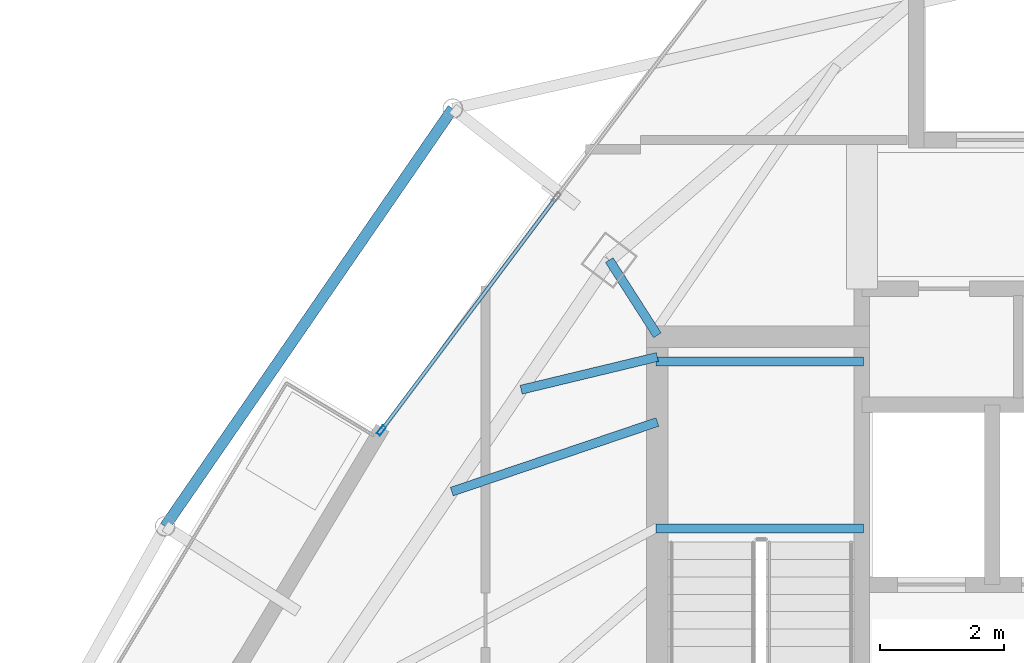
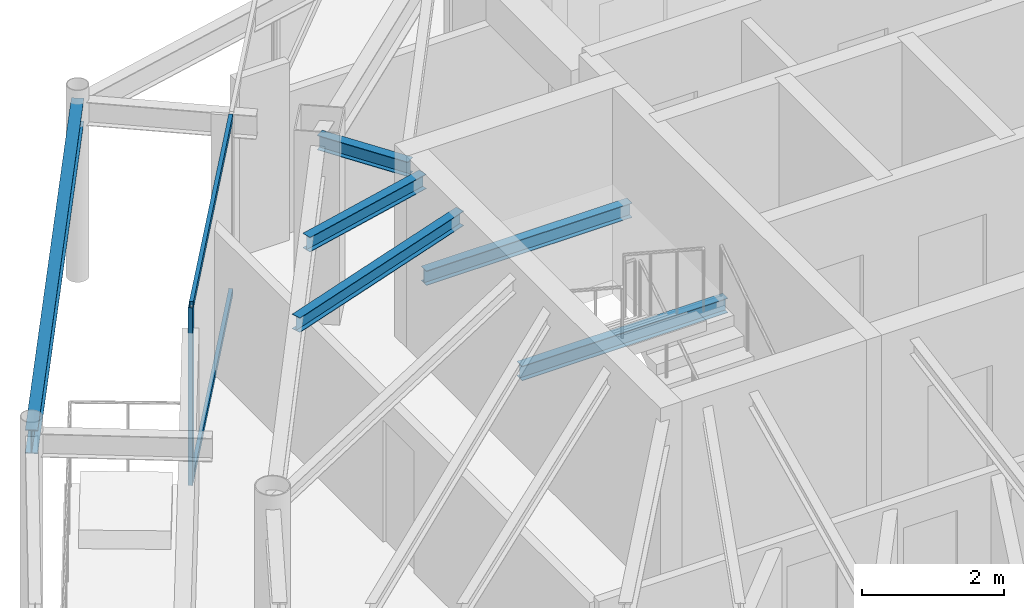
# One storey, part 12 of 28: 6 beams, 3 members, 1 element without a shape of its own.
"""IFC4 building model written with IfcOpenShell, lengths in metres."""

import ifcopenshell
import ifcopenshell.guid

model = None  # the IFC model being written
_history = None  # IfcOwnerHistory: only IFC2X3 demands one
_inside = {}  # id of a spatial element -> (the spatial element, [elements in it])
_under = {}  # id of a project, library or spatial element -> (it, [spatial elements below it])
_declared = {}  # id of a project -> (the project, [libraries it declares])
_typed = {}  # id of a type object -> (the type object, [elements of that type])
_made_of = {}  # id of a material, layer set ... -> (it, [elements and type objects made of it])


def new_model(schema):
    """Start an empty IFC model of exactly this schema.

    Asked for "IFC4X3", IfcOpenShell would pick the latest addendum, in which some entities
    have other attributes; the version numbers below select the first issue.
    IFC2X3 requires an IfcOwnerHistory on every rooted entity: one is made here for all.
    """
    global model, _history
    if schema == "IFC4X3":
        model = ifcopenshell.file(schema_version=(4, 3, 0, 0))
    else:
        model = ifcopenshell.file(schema=schema)
    _inside.clear()
    _under.clear()
    _declared.clear()
    _typed.clear()
    _made_of.clear()
    _history = None
    if model.schema == "IFC2X3":
        org = make("IfcOrganization", Name="unknown")
        user = make(
            "IfcPersonAndOrganization",
            ThePerson=make("IfcPerson", FamilyName="unknown"),
            TheOrganization=org,
        )
        app = make(
            "IfcApplication",
            ApplicationDeveloper=org,
            Version="unknown",
            ApplicationFullName="unknown",
            ApplicationIdentifier="unknown",
        )
        _history = make(
            "IfcOwnerHistory",
            OwningUser=user,
            OwningApplication=app,
            ChangeAction="ADDED",
            CreationDate=0,
        )
    return model


def make(cls, **values):
    """One entity of the class cls with the attributes given. An attribute that is None is left unset."""
    return model.create_entity(
        cls, **{name: value for name, value in values.items() if value is not None}
    )


def rooted(cls, **values):
    """An entity with a GlobalId (a new one), such as an element, a storey or a relation."""
    return make(cls, GlobalId=ifcopenshell.guid.new(), OwnerHistory=_history, **values)


def si_unit(unit_type, name, prefix=None):
    """IfcSIUnit, for example si_unit("LENGTHUNIT", "METRE", prefix="MILLI")."""
    return make("IfcSIUnit", UnitType=unit_type, Prefix=prefix, Name=name)


def assignment(units):
    """IfcUnitAssignment: the units of a project."""
    return None if units is None else make("IfcUnitAssignment", Units=units)


def point(xyz):
    """IfcCartesianPoint."""
    return None if xyz is None else make("IfcCartesianPoint", Coordinates=xyz)


def direction(xyz):
    """IfcDirection."""
    return None if xyz is None else make("IfcDirection", DirectionRatios=xyz)


def frame(location, z_axis=None, x_axis=None):
    """IfcAxis2Placement3D, a coordinate frame: its origin and axes. An axis left out is left unset."""
    return make(
        "IfcAxis2Placement3D",
        Location=point(location),
        Axis=direction(z_axis),
        RefDirection=direction(x_axis),
    )


def frame_2d(location, x_axis=None):
    """IfcAxis2Placement2D, a coordinate frame in the plane: its origin and x axis."""
    return make(
        "IfcAxis2Placement2D", Location=point(location), RefDirection=direction(x_axis)
    )


def origin():
    """The frame at (0, 0, 0) with its axes left unset."""
    return frame((0.0, 0.0, 0.0))


def origin_2d():
    """The frame at (0, 0) in the plane with its x axis left unset."""
    return frame_2d((0.0, 0.0))


def place(relative_to, where):
    """IfcLocalPlacement: puts the frame where relative to a parent placement (None: the world)."""
    return make(
        "IfcLocalPlacement", PlacementRelTo=relative_to, RelativePlacement=where
    )


def context(
    kind, dimensions, precision=None, world=None, true_north=None, identifier=None
):
    """IfcGeometricRepresentationContext, for example the 3D "Model" context."""
    return make(
        "IfcGeometricRepresentationContext",
        ContextIdentifier=identifier,
        ContextType=kind,
        CoordinateSpaceDimension=dimensions,
        Precision=precision,
        WorldCoordinateSystem=world,
        TrueNorth=true_north,
    )


def subcontext(parent, identifier, kind, view, scale=None):
    """IfcGeometricRepresentationSubContext, for example "Body" below "Model"."""
    return make(
        "IfcGeometricRepresentationSubContext",
        ContextIdentifier=identifier,
        ContextType=kind,
        ParentContext=parent,
        TargetScale=scale,
        TargetView=view,
    )


def project(units=None, contexts=None):
    """IfcProject with its units and contexts."""
    return rooted(
        "IfcProject",
        Name="project",
        RepresentationContexts=contexts,
        UnitsInContext=assignment(units),
    )


def spatial(cls, under=None, at=None, **own):
    """A site, building, storey or space (cls), placed at a placement, below another one or the project."""
    s = rooted(cls, ObjectPlacement=at, **own)
    if under is not None:
        _under.setdefault(under.id(), (under, []))[1].append(s)
    return s


def profile(cls, at=None, kind="AREA", **sizes):
    """A parametric profile (cls). Its sizes go by their IFC names, for example OverallWidth=200.0."""
    return make(cls, ProfileType=kind, Position=at, **sizes)


def hollow_rectangle(**sizes):
    """IfcRectangleHollowProfileDef."""
    return profile("IfcRectangleHollowProfileDef", **sizes)


def i_section(**sizes):
    """IfcIShapeProfileDef."""
    return profile("IfcIShapeProfileDef", **sizes)


def extrude(swept, where, along, depth):
    """IfcExtrudedAreaSolid: the profile swept, set in the frame where, extruded along a direction by depth."""
    return make(
        "IfcExtrudedAreaSolid",
        SweptArea=swept,
        Position=where,
        ExtrudedDirection=direction(along),
        Depth=depth,
    )


def shape(context_of_items, identifier, shape_type, items):
    """IfcShapeRepresentation: the items that make up one representation, for example the "Body"."""
    return make(
        "IfcShapeRepresentation",
        ContextOfItems=context_of_items,
        RepresentationIdentifier=identifier,
        RepresentationType=shape_type,
        Items=items,
    )


def material(Name=None, Category=None):
    """IfcMaterial."""
    return make("IfcMaterial", Name=Name, Category=Category)


def layer(
    of_material, thickness, ventilated=None, Name=None, Category=None, Priority=None
):
    """IfcMaterialLayer: one layer of a wall or slab, of a material (None: an air gap)."""
    return make(
        "IfcMaterialLayer",
        Material=of_material,
        LayerThickness=thickness,
        IsVentilated=ventilated,
        Name=Name,
        Category=Category,
        Priority=Priority,
    )


def layer_set(layers, Name=None):
    """IfcMaterialLayerSet."""
    return make("IfcMaterialLayerSet", MaterialLayers=layers, LayerSetName=Name)


def material_profile(
    of_material, cross_section, Name=None, Category=None, Priority=None
):
    """IfcMaterialProfile: a cross section and its material."""
    return make(
        "IfcMaterialProfile",
        Name=Name,
        Material=of_material,
        Profile=cross_section,
        Priority=Priority,
        Category=Category,
    )


def profile_set(profiles, Name=None, composite=None):
    """IfcMaterialProfileSet."""
    return make(
        "IfcMaterialProfileSet",
        Name=Name,
        MaterialProfiles=profiles,
        CompositeProfile=composite,
    )


def made_of(thing, what):
    """Note that an element or type object is made of a material, layer set ...; save() writes the relation."""
    if what is not None:
        _made_of.setdefault(what.id(), (what, []))[1].append(thing)
    return thing


def type_object(cls, material=None, **own):
    """A type object (cls), such as IfcWallType, which elements share."""
    return made_of(rooted(cls, **own), material)


def element(
    cls,
    number,
    at=None,
    inside=None,
    cuts=None,
    type_object=None,
    material=None,
    context=None,
    identifier="Body",
    shape_type=None,
    held_by="IfcProductDefinitionShape",
    body=None,
    shapes=None,
    **own,
):
    """One element of the class cls, such as IfcWall. Its Tag is "e" and its number.

    at: its placement. inside: the storey or other place that contains it. cuts: it is an
    opening in that element (IfcRelVoidsElement). A single representation is given by context,
    identifier, shape_type and body (its items); several are given by shapes. held_by: the class
    of the entity that holds the representations. save() writes the other relations.
    """
    e = rooted(cls, Tag="e%d" % number, ObjectPlacement=at, **own)
    if body is not None:
        shapes = [shape(context, identifier, shape_type, body)]
    if shapes is not None:
        e.Representation = make(held_by, Representations=shapes)
    if inside is not None:
        _inside.setdefault(inside.id(), (inside, []))[1].append(e)
    if cuts is not None:
        rooted(
            "IfcRelVoidsElement", RelatingBuildingElement=cuts, RelatedOpeningElement=e
        )
    if type_object is not None:
        _typed.setdefault(type_object.id(), (type_object, []))[1].append(e)
    return made_of(e, material)


def aggregate(whole, parts):
    """IfcRelAggregates: a whole, such as a stair, and the parts it consists of."""
    return rooted("IfcRelAggregates", RelatingObject=whole, RelatedObjects=parts)


def save(model, path):
    """Write the relations noted so far, then the file.

    IfcRelAggregates (storeys below a building ...), IfcRelContainedInSpatialStructure (elements
    in a storey), IfcRelDefinesByType, IfcRelAssociatesMaterial and IfcRelDeclares: one each for
    every whole, place, type object, material and project.
    """
    for whole, parts in _under.values():
        aggregate(whole, parts)
    for where, things in _inside.values():
        rooted(
            "IfcRelContainedInSpatialStructure",
            RelatedElements=things,
            RelatingStructure=where,
        )
    for kind, things in _typed.values():
        rooted("IfcRelDefinesByType", RelatedObjects=things, RelatingType=kind)
    for what, things in _made_of.values():
        rooted("IfcRelAssociatesMaterial", RelatedObjects=things, RelatingMaterial=what)
    for by, libraries in _declared.values():
        rooted("IfcRelDeclares", RelatingContext=by, RelatedDefinitions=libraries)
    model.write(path)


model = new_model("IFC4")

# Units and contexts
model_context = context("Model", 3, precision=1e-05, world=origin(), true_north=direction((0.0, 1.0)))
body_context = subcontext(model_context, "Body", "Model", "MODEL_VIEW")
ifc_project = project(units=[si_unit("LENGTHUNIT", "METRE"), si_unit("AREAUNIT", "SQUARE_METRE"), si_unit("VOLUMEUNIT", "CUBIC_METRE"), si_unit("PLANEANGLEUNIT", "RADIAN"), si_unit("MASSUNIT", "GRAM", prefix="KILO")], contexts=[model_context])

# Site, building, storey
site_placement = place(None, origin())
site = spatial("IfcSite", under=ifc_project, at=site_placement, CompositionType="ELEMENT")
building_placement = place(site_placement, origin())
building = spatial("IfcBuilding", under=site, at=building_placement, Name="Orvanel Arch Residences", CompositionType="ELEMENT")
storey_placement = place(building_placement, frame((0.0, 0.0, 260.14990234375)))
storey = spatial("IfcBuildingStorey", under=building, at=storey_placement, Name="L74", CompositionType="ELEMENT", Elevation=260.14990234375)

# Beams
ifc_material_1 = material(Name="Structural steel AS/NZS 3679.1 Grade 300 (300 MPa)", Category="steel")
ifc_material_profile_1 = material_profile(ifc_material_1, i_section(OverallWidth=0.14599609375, OverallDepth=0.251953125, WebThickness=0.006103515625, FlangeThickness=0.008544921875, at=origin_2d()), Name="250UB31.4")
ifc_profile_set_1 = profile_set([ifc_material_profile_1], Name="Structural steel AS/NZS 3679.1 Grade 300 (300 MPa)")
beam_type_1 = type_object("IfcBeamType", Name="BJ-250UB", PredefinedType="JOIST", material=ifc_profile_set_1)
for number, where, z_axis, x_axis, name in (
    (1, (26.39990234375, 30.780029296875, 1.32421875), (1.0, 0.0, 0.0), (0.0, 1.0, 0.0), "L74 ST-1 Half-Landing Support Beam 1.1"),
    (2, (26.39990234375, 33.47998046875, 1.32421875), (1.0, 0.0, 0.0), (0.0, 1.0, 0.0), "L74 ST-1 Half-Landing Support Beam 1.2"),
):
    element("IfcBeam", number, at=place(storey_placement, frame(where, z_axis=z_axis, x_axis=x_axis)), inside=storey, type_object=beam_type_1, Name=name, PredefinedType="JOIST", context=body_context, shape_type="SweptSolid", body=[
        extrude(i_section(OverallWidth=0.14599609375, OverallDepth=0.251953125, WebThickness=0.006103515625, FlangeThickness=0.008544921875, at=origin_2d()), origin(), (0.0, 0.0, 1.0), 3.35009765625),
    ])
beam_1_placement = place(storey_placement, frame((26.425048828125, 33.89990234375, 2.93408203125), z_axis=(-0.539395075146, 0.842052820735, 0.0), x_axis=(-0.842052820735, -0.539395075146, 0.0)))
element("IfcBeam", 3, at=beam_1_placement, inside=storey, type_object=beam_type_1, Name="L74 NNW Wing Floor Joist", PredefinedType="JOIST", context=body_context, shape_type="SweptSolid", body=[
    extrude(i_section(OverallWidth=0.14599609375, OverallDepth=0.251953125, WebThickness=0.006103515625, FlangeThickness=0.008544921875, at=origin_2d()), origin(), (0.0, 0.0, 1.0), 1.440673828125),
])
beam_2_placement = place(storey_placement, frame((26.425048828125, 32.5, 2.93408203125), z_axis=(-0.947187956478, -0.320678928373, 0.0), x_axis=(0.320678928373, -0.947187956478, 0.0)))
element("IfcBeam", 4, at=beam_2_placement, inside=storey, type_object=beam_type_1, Name="L74 WNW Wing Floor Joist", PredefinedType="JOIST", context=body_context, shape_type="SweptSolid", body=[
    extrude(i_section(OverallWidth=0.14599609375, OverallDepth=0.251953125, WebThickness=0.006103515625, FlangeThickness=0.008544921875, at=origin_2d()), origin(), (0.0, 0.0, 1.0), 3.502197265625),
])
beam_3_placement = place(storey_placement, frame((26.425048828125, 33.550048828125, 2.93408203125), z_axis=(-0.972256833016, -0.23391590509, 0.0), x_axis=(0.23391590509, -0.972256833016, 0.0)))
element("IfcBeam", 5, at=beam_3_placement, inside=storey, type_object=beam_type_1, Name="L74 JADD3 Wing Floor Joist", PredefinedType="JOIST", context=body_context, shape_type="SweptSolid", body=[
    extrude(i_section(OverallWidth=0.14599609375, OverallDepth=0.251953125, WebThickness=0.006103515625, FlangeThickness=0.008544921875, at=origin_2d()), origin(), (0.0, 0.0, 1.0), 2.26171875),
])

# Curtain wall, member
ifc_material_2 = material(Name="Bronze-anodised aluminium AA6063-T6", Category="aluminium")
ifc_layer = layer(ifc_material_2, 0.175048828125)
ifc_layer_set = layer_set([ifc_layer], Name="Bronze-anodised aluminium AA6063-T6")
curtain_wall_type = type_object("IfcCurtainWallType", Name="CW4-HI-SYS", PredefinedType="NOTDEFINED", material=ifc_layer_set)
curtain_wall_placement = place(storey_placement, origin())
curtain_wall = element("IfcCurtainWall", 6, at=curtain_wall_placement, inside=storey, type_object=curtain_wall_type, Name="L74 CW4-HI-SYS Unitised Curtain Wall", PredefinedType="NOTDEFINED")
ifc_material_profile_2 = material_profile(ifc_material_2, hollow_rectangle(XDim=0.06494140625, YDim=0.159912109375, WallThickness=0.00390625, at=origin_2d()), Name="ALU160x65x4")
ifc_profile_set_2 = profile_set([ifc_material_profile_2], Name="Bronze-anodised aluminium AA6063-T6")
member_type_1 = type_object("IfcMemberType", Name="MUL-160x65", PredefinedType="MULLION", material=ifc_profile_set_2)
member_1_placement = place(storey_placement, frame((21.969482421875, 32.363037109375, 0.0), z_axis=(0.0, 0.0, 1.0), x_axis=(0.799771978749, -0.60030390804, 0.0)))
member_1 = element("IfcMember", 7, at=member_1_placement, type_object=member_type_1, Name="CW-S4 mullion 3", PredefinedType="MULLION", context=body_context, shape_type="SweptSolid", body=[
    extrude(hollow_rectangle(XDim=0.06494140625, YDim=0.159912109375, WallThickness=0.00390625, at=origin_2d()), origin(), (0.0, 0.0, 1.0), 3.06005859375),
])

# Beam
ifc_material_profile_3 = material_profile(ifc_material_1, i_section(OverallWidth=0.177978515625, OverallDepth=0.406005859375, WebThickness=0.0078125, FlangeThickness=0.0126953125, at=origin_2d()), Name="410UB59.7")
ifc_profile_set_3 = profile_set([ifc_material_profile_3], Name="Structural steel AS/NZS 3679.1 Grade 300 (300 MPa)")
beam_type_2 = type_object("IfcBeamType", Name="OB-410UB-EXT", PredefinedType="SPANDREL", material=ifc_profile_set_3)
beam_4_placement = place(storey_placement, frame((23.123046875, 37.556884765625, 2.857177734375), z_axis=(-0.567221162868, -0.823565511902, 0.0), x_axis=(0.823565511902, -0.567221162868, 0.0)))
element("IfcBeam", 8, at=beam_4_placement, inside=storey, type_object=beam_type_2, Name="L74 Outer Perimeter Floor Ring Beam 01", PredefinedType="SPANDREL", context=body_context, shape_type="SweptSolid", body=[
    extrude(i_section(OverallWidth=0.177978515625, OverallDepth=0.406005859375, WebThickness=0.0078125, FlangeThickness=0.0126953125, at=origin_2d()), origin(), (0.0, 0.0, 1.0), 8.183837890625),
])

# Member
ifc_material_profile_4 = material_profile(ifc_material_2, hollow_rectangle(XDim=0.06005859375, YDim=0.1201171875, WallThickness=0.00341796875, at=origin_2d()), Name="ALU120x60x3.5")
ifc_profile_set_4 = profile_set([ifc_material_profile_4], Name="Bronze-anodised aluminium AA6063-T6")
member_type_2 = type_object("IfcMemberType", Name="TRN-120x60", PredefinedType="USERDEFINED", material=ifc_profile_set_4)
member_2_placement = place(storey_placement, frame((24.7744140625, 36.10009765625, 0.030029296875), z_axis=(-0.600277767892, -0.799791598714, 0.0), x_axis=(0.799791598714, -0.600277767892, 0.0)))
member_2 = element("IfcMember", 9, at=member_2_placement, type_object=member_type_2, Name="CW-S4 transom 2.1", ObjectType="TRANSOM", PredefinedType="USERDEFINED", context=body_context, shape_type="SweptSolid", body=[
    extrude(hollow_rectangle(XDim=0.06005859375, YDim=0.1201171875, WallThickness=0.00341796875, at=origin_2d()), origin(), (0.0, 0.0, 1.0), 4.64013671875),
])

member_3_placement = place(storey_placement, frame((24.7744140625, 36.10009765625, 3.030029296875), z_axis=(-0.600277767892, -0.799791598714, 0.0), x_axis=(0.799791598714, -0.600277767892, 0.0)))
member_3 = element("IfcMember", 10, at=member_3_placement, type_object=member_type_2, Name="CW-S4 transom 2.2", ObjectType="TRANSOM", PredefinedType="USERDEFINED", context=body_context, shape_type="SweptSolid", body=[
    extrude(hollow_rectangle(XDim=0.06005859375, YDim=0.1201171875, WallThickness=0.00341796875, at=origin_2d()), origin(), (0.0, 0.0, 1.0), 4.64013671875),
])

aggregate(curtain_wall, [member_1, member_2, member_3])

save(model, "model.ifc")
